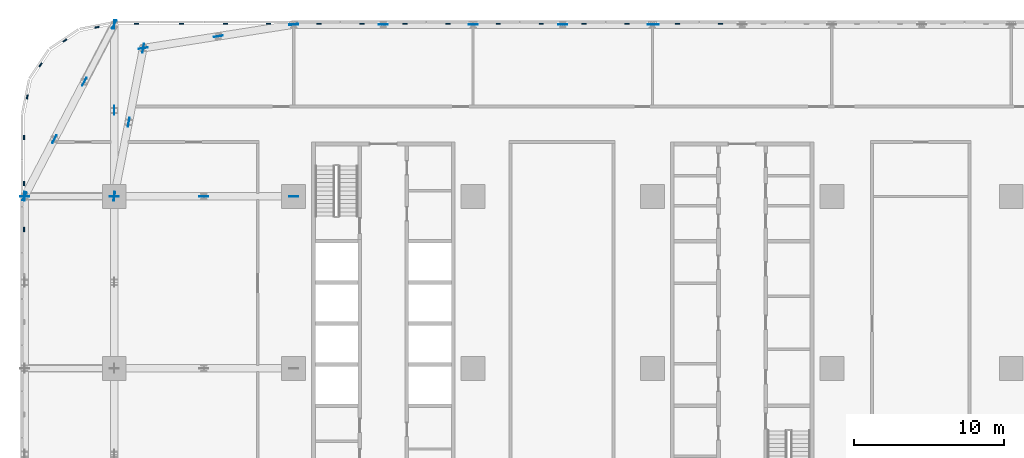
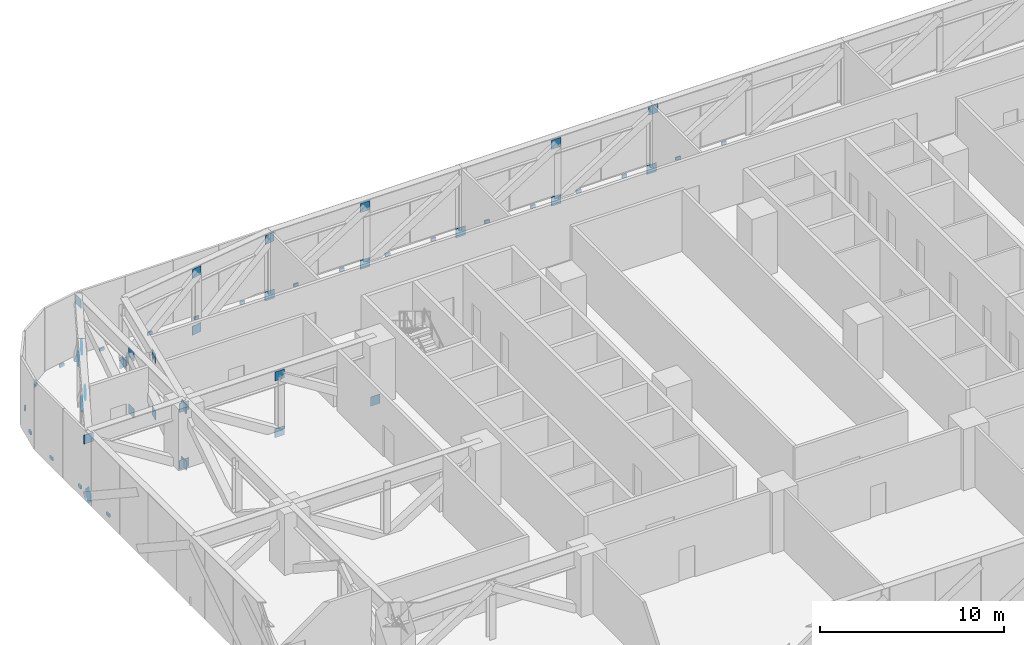
# One storey, part 16 of 25: 54 discrete accessories.
"""IFC4 building model written with IfcOpenShell, lengths in metres."""

from ifc_helpers import new_model, si_unit, direction, frame, origin, origin_2d, place, context, subcontext, project, spatial, rectangle, extrude, material, layer, layer_set, type_object, element, save


model = new_model("IFC4")

# Units and contexts
model_context = context("Model", 3, precision=1e-05, world=origin(), true_north=direction((0.0, 1.0)))
body_context = subcontext(model_context, "Body", "Model", "MODEL_VIEW")
ifc_project = project(units=[si_unit("LENGTHUNIT", "METRE"), si_unit("AREAUNIT", "SQUARE_METRE"), si_unit("VOLUMEUNIT", "CUBIC_METRE"), si_unit("PLANEANGLEUNIT", "RADIAN"), si_unit("MASSUNIT", "GRAM", prefix="KILO")], contexts=[model_context])

# Site, building, storey
site_placement = place(None, origin())
site = spatial("IfcSite", under=ifc_project, at=site_placement, CompositionType="ELEMENT")
building_placement = place(site_placement, origin())
building = spatial("IfcBuilding", under=site, at=building_placement, Name="Mahtab Terrace Research Tower", CompositionType="ELEMENT")
storey_placement = place(building_placement, frame((0.0, 0.0, 41.60009765625)))
storey = spatial("IfcBuildingStorey", under=building, at=storey_placement, Name="L09", CompositionType="ELEMENT", Elevation=41.60009765625)

# Discrete accessories
ifc_material_1 = material(Name="Black anodised aluminium", Category="aluminium")
discrete_accessory_type_1 = type_object("IfcDiscreteAccessoryType", Name="Facade bracket", PredefinedType="BRACKET", material=ifc_material_1)
for number, where, z_axis, x_axis, name in (
    (1, (-1.437744140625, 23.044921875, -0.30029296875), (0.0, 0.0, 1.0), (-1.0, 0.0, 0.0), "Louvre bracket L09 39"),
    (2, (-4.313232421875, 23.044921875, -0.30029296875), (0.0, 0.0, 1.0), (-1.0, 0.0, 0.0), "Louvre bracket L09 40"),
    (3, (-7.686767578125, 23.044921875, -0.30029296875), (0.0, 0.0, 1.0), (-1.0, 0.0, 0.0), "Louvre bracket L09 41"),
    (4, (-10.562255859375, 23.044921875, -0.30029296875), (0.0, 0.0, 1.0), (-1.0, 0.0, 0.0), "Louvre bracket L09 42"),
    (5, (-13.437744140625, 23.044921875, -0.30029296875), (0.0, 0.0, 1.0), (-1.0, 0.0, 0.0), "Louvre bracket L09 43"),
    (6, (-16.313232421875, 23.044921875, -0.30029296875), (0.0, 0.0, 1.0), (-1.0, 0.0, 0.0), "Louvre bracket L09 44"),
    (7, (-19.686767578125, 23.044921875, -0.30029296875), (0.0, 0.0, 1.0), (-1.0, 0.0, 0.0), "Louvre bracket L09 45"),
    (8, (-22.562255859375, 23.044921875, -0.30029296875), (0.0, 0.0, 1.0), (-1.0, 0.0, 0.0), "Louvre bracket L09 46"),
    (9, (-25.437744140625, 23.044921875, -0.30029296875), (0.0, 0.0, 1.0), (-1.0, 0.0, 0.0), "Louvre bracket L09 47"),
    (10, (-28.313232421875, 23.044921875, -0.30029296875), (0.0, 0.0, 1.0), (-1.0, 0.0, 0.0), "Louvre bracket L09 48"),
    (11, (-31.686767578125, 23.044921875, -0.30029296875), (0.0, 0.0, 1.0), (-1.0, 0.0, 0.0), "Louvre bracket L09 49"),
    (12, (-34.562255859375, 23.044921875, -0.30029296875), (0.0, 0.0, 1.0), (-1.0, 0.0, 0.0), "Louvre bracket L09 50"),
    (13, (-37.5, 23.044921875, -0.30029296875), (0.0, 0.0, 1.0), (-1.0, 0.0, 0.0), "Louvre bracket L09 51"),
    (14, (-40.5, 23.044921875, -0.30029296875), (0.0, 0.0, 1.0), (-1.0, 0.0, 0.0), "Louvre bracket L09 52"),
    (15, (-43.15673828125, 22.815673828125, -0.30029296875), (0.0, 0.0, 1.0), (-0.980760981187, -0.195212442692, 0.0), "Louvre bracket L09 53"),
    (16, (-45.29443359375, 21.930419921875, -0.30029296875), (0.0, 0.0, 1.0), (-0.831655794326, -0.555291490808, 0.0), "Louvre bracket L09 54"),
    (17, (-46.930419921875, 20.29443359375, -0.30029296875), (0.0, 0.0, 1.0), (-0.555291490808, -0.831655794326, 0.0), "Louvre bracket L09 55"),
    (18, (-47.815673828125, 18.15673828125, -0.30029296875), (0.0, 0.0, 1.0), (-0.195212442692, -0.980760981187, 0.0), "Louvre bracket L09 56"),
    (19, (-48.044921875, 15.45458984375, -0.30029296875), (0.0, 0.0, 1.0), (0.0, -1.0, 0.0), "Louvre bracket L09 57"),
    (20, (-48.044921875, 12.363525390625, -0.30029296875), (0.0, 0.0, 1.0), (0.0, -1.0, 0.0), "Louvre bracket L09 58"),
    (21, (-48.044921875, 9.272705078125, -0.30029296875), (0.0, 0.0, 1.0), (0.0, -1.0, 0.0), "Louvre bracket L09 59"),
):
    element("IfcDiscreteAccessory", number, at=place(storey_placement, frame(where, z_axis=z_axis, x_axis=x_axis)), inside=storey, type_object=discrete_accessory_type_1, Name=name, PredefinedType="BRACKET", context=body_context, shape_type="SweptSolid", body=[
        extrude(rectangle(XDim=0.300048828125, YDim=0.090087890625, at=origin_2d()), origin(), (0.0, 0.0, 1.0), 0.199951171875),
    ])
ifc_material_2 = material(Name="Steel ASTM A992 Gr 50", Category="steel")
ifc_layer = layer(ifc_material_2, 0.030029296875)
ifc_layer_set = layer_set([ifc_layer], Name="Gusset plate 600x600x30")
discrete_accessory_type_2 = type_object("IfcDiscreteAccessoryType", Name="Gusset plate 600x600x30", PredefinedType="USERDEFINED", material=ifc_layer_set)
for number, where, z_axis, x_axis, name in (
    (22, (-48.0, 11.5, 3.201171875), (0.0, 0.0, 1.0), (1.0, 0.0, 0.0), "Gusset plate"),
    (23, (-42.0, 11.5, -0.575927734375), (0.0, 0.0, 1.0), (1.0, 0.0, 0.0), "Gusset plate"),
    (24, (-42.0, 11.5, 3.201171875), (0.0, 0.0, 1.0), (1.0, 0.0, 0.0), "Gusset plate"),
    (25, (-36.0, 11.5, -0.575927734375), (0.0, 0.0, 1.0), (1.0, 0.0, 0.0), "Gusset plate"),
    (26, (-36.0, 11.5, 3.201171875), (0.0, 0.0, 1.0), (1.0, 0.0, 0.0), "Gusset plate"),
    (27, (-30.0, 11.5, -0.575927734375), (0.0, 0.0, 1.0), (1.0, 0.0, 0.0), "Gusset plate"),
    (28, (-30.0, 23.0, -0.575927734375), (0.0, 0.0, 1.0), (1.0, 0.0, 0.0), "Gusset plate"),
    (29, (-24.0, 23.0, -0.575927734375), (0.0, 0.0, 1.0), (1.0, 0.0, 0.0), "Gusset plate"),
    (30, (-24.0, 23.0, 3.201171875), (0.0, 0.0, 1.0), (1.0, 0.0, 0.0), "Gusset plate"),
    (31, (-18.0, 23.0, -0.575927734375), (0.0, 0.0, 1.0), (1.0, 0.0, 0.0), "Gusset plate"),
    (32, (-12.0, 23.0, -0.575927734375), (0.0, 0.0, 1.0), (1.0, 0.0, 0.0), "Gusset plate"),
    (33, (-12.0, 23.0, 3.201171875), (0.0, 0.0, 1.0), (1.0, 0.0, 0.0), "Gusset plate"),
    (34, (-6.0, 23.0, -0.575927734375), (0.0, 0.0, 1.0), (1.0, 0.0, 0.0), "Gusset plate"),
    (35, (-5.89404296875, 23.0, 3.329345703125), (0.0, 0.0, 1.0), (1.0, 0.0, 0.0), "Gusset plate"),
    (36, (-40.06201171875, 21.416015625, -0.575927734375), (0.0, 0.0, 1.0), (0.987835337919, 0.15550352137, 0.0), "Gusset plate"),
    (37, (-35.031005859375, 22.2080078125, -0.575927734375), (0.0, 0.0, 1.0), (0.987835337919, 0.15550352137, 0.0), "Gusset plate"),
    (38, (-35.031005859375, 22.2080078125, 3.201171875), (0.0, 0.0, 1.0), (0.987835337919, 0.15550352137, 0.0), "Gusset plate"),
    (39, (-30.0, 23.0, 3.201171875), (0.0, 0.0, 1.0), (0.987835337919, 0.15550352137, 0.0), "Gusset plate"),
    (40, (-48.0, 11.5, -0.575927734375), (0.0, 0.0, 1.0), (0.462599869636, 0.886567177721, 0.0), "Gusset plate"),
    (41, (-46.0, 15.3330078125, 3.201171875), (0.0, 0.0, 1.0), (0.462599869636, 0.886567177721, 0.0), "Gusset plate"),
    (42, (-44.0, 19.1669921875, -0.575927734375), (0.0, 0.0, 1.0), (0.462507026002, 0.886615616205, 0.0), "Gusset plate"),
    (43, (-44.0, 19.1669921875, 3.201171875), (0.0, 0.0, 1.0), (0.462599869636, 0.886567177721, 0.0), "Gusset plate"),
    (44, (-42.0, 23.0, -0.575927734375), (0.0, 0.0, 1.0), (0.462599869636, 0.886567177721, 0.0), "Gusset plate"),
    (45, (-42.0, 11.5, 3.201171875), (0.0, 0.0, 1.0), (0.19181971899, 0.981430178569, 0.0), "Gusset plate"),
    (46, (-41.031005859375, 16.4580078125, -0.575927734375), (0.0, 0.0, 1.0), (0.19181971899, 0.981430178569, 0.0), "Gusset plate"),
    (47, (-41.031005859375, 16.4580078125, 3.201171875), (0.0, 0.0, 1.0), (0.19181971899, 0.981430178569, 0.0), "Gusset plate"),
    (48, (-40.06201171875, 21.416015625, -0.575927734375), (0.0, 0.0, 1.0), (0.19181971899, 0.981430178569, 0.0), "Gusset plate"),
    (49, (-48.0, 11.5, -0.575927734375), (0.0, 0.0, 1.0), (0.0, 1.0, 0.0), "Gusset plate"),
    (50, (-42.0, 11.5, -0.575927734375), (0.0, 0.0, 1.0), (0.0, 1.0, 0.0), "Gusset plate"),
    (51, (-42.0, 11.5, 3.201171875), (0.0, 0.0, 1.0), (0.0, 1.0, 0.0), "Gusset plate"),
    (52, (-42.0, 17.25, -0.575927734375), (0.0, 0.0, 1.0), (0.0, 1.0, 0.0), "Gusset plate"),
    (53, (-42.0, 17.25, 3.201171875), (0.0, 0.0, 1.0), (0.0, 1.0, 0.0), "Gusset plate"),
    (54, (-42.0, 23.0, 3.201171875), (0.0, 0.0, 1.0), (0.0, 1.0, 0.0), "Gusset plate"),
):
    element("IfcDiscreteAccessory", number, at=place(storey_placement, frame(where, z_axis=z_axis, x_axis=x_axis)), inside=storey, type_object=discrete_accessory_type_2, Name=name, ObjectType="GUSSET PLATE", PredefinedType="USERDEFINED", context=body_context, shape_type="SweptSolid", body=[
        extrude(rectangle(XDim=0.60009765625, YDim=0.030029296875, at=origin_2d()), origin(), (0.0, 0.0, 1.0), 0.60009765625),
    ])

save(model, "model.ifc")
